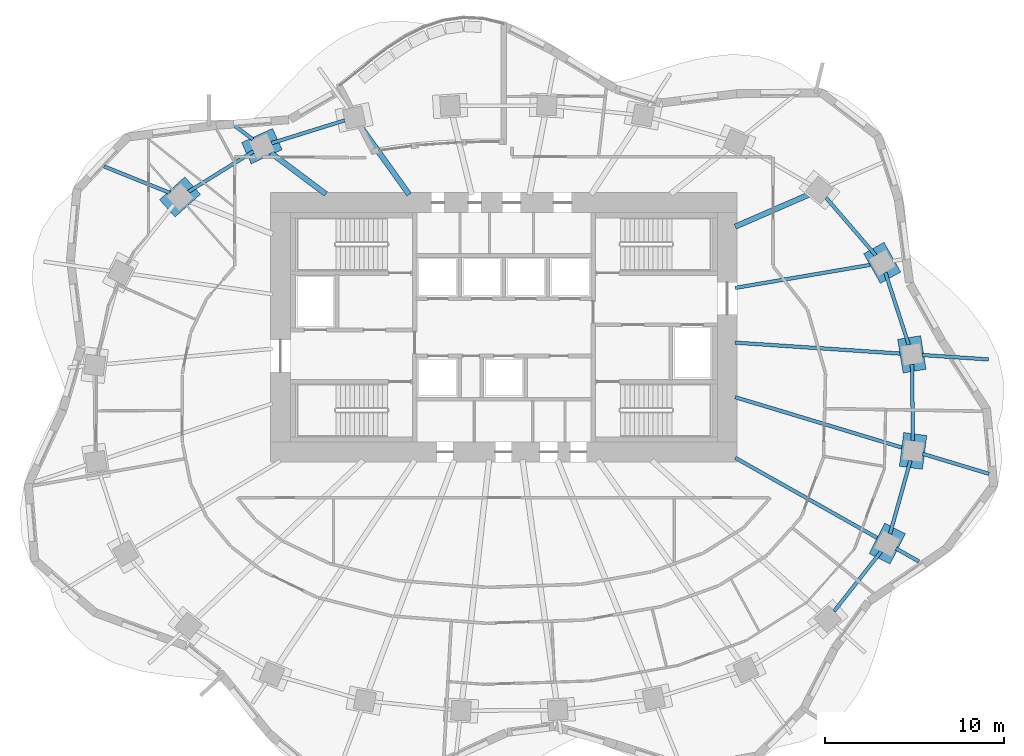
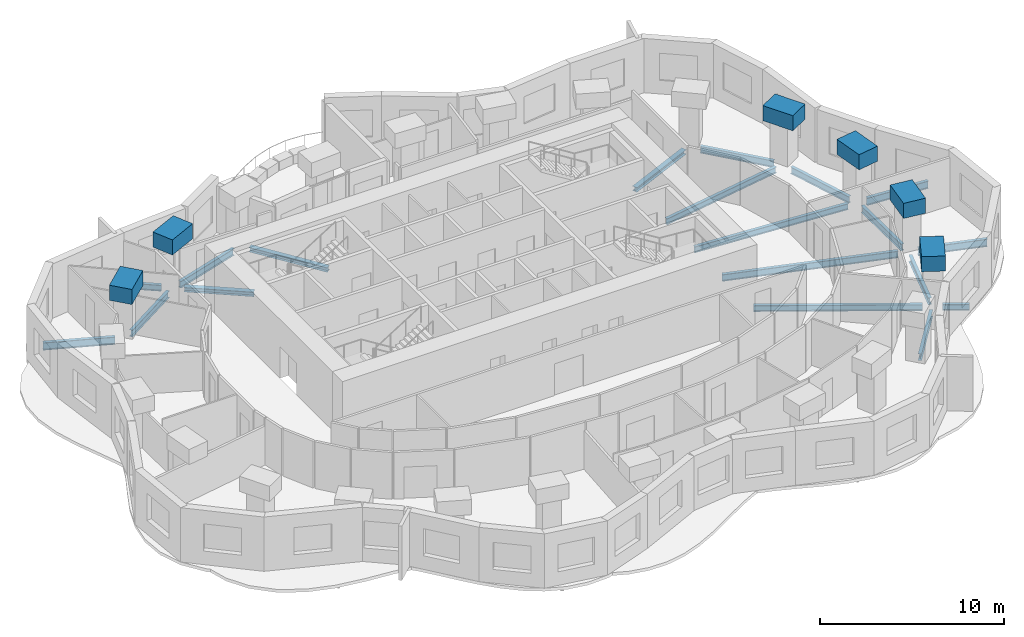
# One storey, part 2 of 11: 25 beams.
"""IFC4 building model written with IfcOpenShell, lengths in metres."""

from ifc_helpers import new_model, si_unit, direction, frame, origin, origin_2d, place, context, subcontext, project, spatial, rectangle, i_section, extrude, material, material_profile, profile_set, type_object, element, save


model = new_model("IFC4")

# Units and contexts
model_context = context("Model", 3, precision=1e-05, world=origin(), true_north=direction((0.0, 1.0)))
body_context = subcontext(model_context, "Body", "Model", "MODEL_VIEW")
ifc_project = project(units=[si_unit("LENGTHUNIT", "METRE"), si_unit("AREAUNIT", "SQUARE_METRE"), si_unit("VOLUMEUNIT", "CUBIC_METRE"), si_unit("PLANEANGLEUNIT", "RADIAN"), si_unit("MASSUNIT", "GRAM", prefix="KILO")], contexts=[model_context])

# Site, building, storey
site_placement = place(None, origin())
site = spatial("IfcSite", under=ifc_project, at=site_placement, CompositionType="ELEMENT")
building_placement = place(site_placement, origin())
building = spatial("IfcBuilding", under=site, at=building_placement, Name="Rubra Terraces Tower", CompositionType="ELEMENT")
storey_placement = place(building_placement, frame((0.0, 0.0, 165.60009765625)))
storey = spatial("IfcBuildingStorey", under=building, at=storey_placement, Name="L40", CompositionType="ELEMENT", Elevation=165.60009765625)

# Beams
ifc_material_1 = material(Name="Steel Q355B", Category="steel")
ifc_material_profile_1 = material_profile(ifc_material_1, i_section(OverallWidth=0.199951171875, OverallDepth=0.39990234375, WebThickness=0.008056640625, FlangeThickness=0.012939453125, at=origin_2d()), Name="HN 400x200x8x13")
ifc_profile_set_1 = profile_set([ifc_material_profile_1], Name="Steel Q355B")
beam_type_1 = type_object("IfcBeamType", Name="CANTILEVER BEAM HN 400x200x8x13", PredefinedType="BEAM", material=ifc_profile_set_1)
beam_1_placement = place(storey_placement, frame((21.846923828125, -7.824951171875, -0.400146484375), z_axis=(0.87098394444, -0.491311478115, 0.0), x_axis=(0.491311478115, 0.87098394444, 0.0)))
element("IfcBeam", 1, at=beam_1_placement, inside=storey, type_object=beam_type_1, Name="beam-L40-cant-23", PredefinedType="BEAM", context=body_context, shape_type="SweptSolid", body=[
    extrude(i_section(OverallWidth=0.199951171875, OverallDepth=0.39990234375, WebThickness=0.008056640625, FlangeThickness=0.012939453125, at=origin_2d()), origin(), (0.0, 0.0, 1.0), 1.46728515625),
])
ifc_material_profile_2 = material_profile(ifc_material_1, i_section(OverallWidth=0.198974609375, OverallDepth=0.49609375, WebThickness=0.009033203125, FlangeThickness=0.013916015625, at=origin_2d()), Name="HN 496x199x9x14")
ifc_profile_set_2 = profile_set([ifc_material_profile_2], Name="Steel Q355B")
beam_type_2 = type_object("IfcBeamType", Name="CANTILEVER BEAM HN 496x199x9x14", PredefinedType="BEAM", material=ifc_profile_set_2)
beam_2_placement = place(storey_placement, frame((23.298095703125, 2.9560546875, -0.447998046875), z_axis=(0.99779881822, -0.066313787088, 0.0), x_axis=(0.066313787088, 0.99779881822, 0.0)))
element("IfcBeam", 2, at=beam_2_placement, inside=storey, type_object=beam_type_2, Name="beam-L40-cant-01", PredefinedType="BEAM", context=body_context, shape_type="SweptSolid", body=[
    extrude(i_section(OverallWidth=0.198974609375, OverallDepth=0.49609375, WebThickness=0.009033203125, FlangeThickness=0.013916015625, at=origin_2d()), origin(), (0.0, 0.0, 1.0), 3.7109375),
])
beam_3_placement = place(storey_placement, frame((-18.6201171875, 11.991943359375, -0.447998046875), z_axis=(-0.927758876375, 0.373180207551, 0.0), x_axis=(-0.373180207551, -0.927758876375, 0.0)))
element("IfcBeam", 3, at=beam_3_placement, inside=storey, type_object=beam_type_2, Name="beam-L40-cant-10", PredefinedType="BEAM", context=body_context, shape_type="SweptSolid", body=[
    extrude(i_section(OverallWidth=0.198974609375, OverallDepth=0.49609375, WebThickness=0.009033203125, FlangeThickness=0.013916015625, at=origin_2d()), origin(), (0.0, 0.0, 1.0), 3.9501953125),
])
beam_4_placement = place(storey_placement, frame((23.3359375, -2.550048828125, -0.447998046875), z_axis=(0.957272539744, -0.289187283006, 0.0), x_axis=(0.289187283006, 0.957272539744, 0.0)))
element("IfcBeam", 4, at=beam_4_placement, inside=storey, type_object=beam_type_2, Name="beam-L40-cant-24", PredefinedType="BEAM", context=body_context, shape_type="SweptSolid", body=[
    extrude(i_section(OverallWidth=0.198974609375, OverallDepth=0.49609375, WebThickness=0.009033203125, FlangeThickness=0.013916015625, at=origin_2d()), origin(), (0.0, 0.0, 1.0), 3.85888671875),
])
ifc_material_profile_3 = material_profile(ifc_material_1, i_section(OverallWidth=0.199951171875, OverallDepth=0.39990234375, WebThickness=0.008056640625, FlangeThickness=0.012939453125, at=origin_2d()), Name="HN 400x200x8x13")
ifc_profile_set_3 = profile_set([ifc_material_profile_3], Name="Steel Q355B")
beam_type_3 = type_object("IfcBeamType", Name="CANTILEVER STUB HN 400x200x8x13", PredefinedType="BEAM", material=ifc_profile_set_3)
beam_5_placement = place(storey_placement, frame((-13.989013671875, 14.971923828125, -0.400146484375), z_axis=(-0.800719711136, 0.599039184193, 0.0), x_axis=(-0.599039184193, -0.800719711136, 0.0)))
element("IfcBeam", 5, at=beam_5_placement, inside=storey, type_object=beam_type_3, Name="beam-L40-cant-09", PredefinedType="BEAM", context=body_context, shape_type="SweptSolid", body=[
    extrude(i_section(OverallWidth=0.199951171875, OverallDepth=0.39990234375, WebThickness=0.008056640625, FlangeThickness=0.012939453125, at=origin_2d()), origin(), (0.0, 0.0, 1.0), 1.22021484375),
])
ifc_material_profile_4 = material_profile(ifc_material_1, i_section(OverallWidth=0.199951171875, OverallDepth=0.39990234375, WebThickness=0.008056640625, FlangeThickness=0.012939453125, at=origin_2d()), Name="HN 400x200x8x13")
ifc_profile_set_4 = profile_set([ifc_material_profile_4], Name="Steel Q355B")
beam_type_4 = type_object("IfcBeamType", Name="FLOOR BEAM HN 400x200x8x13", PredefinedType="BEAM", material=ifc_profile_set_4)
beam_6_placement = place(storey_placement, frame((22.169921875, 3.030029296875, -0.400146484375), z_axis=(-0.997809110543, 0.0661587403, 0.0), x_axis=(-0.0661587403, -0.997809110543, 0.0)))
element("IfcBeam", 6, at=beam_6_placement, inside=storey, type_object=beam_type_4, Name="beam-L40-floor-01", PredefinedType="BEAM", context=body_context, shape_type="SweptSolid", body=[
    extrude(i_section(OverallWidth=0.199951171875, OverallDepth=0.39990234375, WebThickness=0.008056640625, FlangeThickness=0.012939453125, at=origin_2d()), origin(), (0.0, 0.0, 1.0), 9.310546875),
])
beam_7_placement = place(storey_placement, frame((20.5048828125, 7.991943359375, -0.400146484375), z_axis=(-0.985813612303, -0.167843742209, 0.0), x_axis=(0.167843742209, -0.985813612303, 0.0)))
element("IfcBeam", 7, at=beam_7_placement, inside=storey, type_object=beam_type_4, Name="beam-L40-floor-02", PredefinedType="BEAM", context=body_context, shape_type="SweptSolid", body=[
    extrude(i_section(OverallWidth=0.199951171875, OverallDepth=0.39990234375, WebThickness=0.008056640625, FlangeThickness=0.012939453125, at=origin_2d()), origin(), (0.0, 0.0, 1.0), 7.732421875),
])
beam_8_placement = place(storey_placement, frame((20.886962890625, -7.282958984375, -0.400146484375), z_axis=(-0.870988685804, 0.491303072656, 0.0), x_axis=(-0.491303072656, -0.870988685804, 0.0)))
element("IfcBeam", 8, at=beam_8_placement, inside=storey, type_object=beam_type_4, Name="beam-L40-floor-23", PredefinedType="BEAM", context=body_context, shape_type="SweptSolid", body=[
    extrude(i_section(OverallWidth=0.199951171875, OverallDepth=0.39990234375, WebThickness=0.008056640625, FlangeThickness=0.012939453125, at=origin_2d()), origin(), (0.0, 0.0, 1.0), 9.17578125),
])
ifc_material_profile_5 = material_profile(ifc_material_1, i_section(OverallWidth=0.198974609375, OverallDepth=0.446044921875, WebThickness=0.008056640625, FlangeThickness=0.011962890625, at=origin_2d()), Name="HN 446x199x8x12")
ifc_profile_set_5 = profile_set([ifc_material_profile_5], Name="Steel Q355B")
beam_type_5 = type_object("IfcBeamType", Name="FLOOR BEAM HN 446x199x8x12", PredefinedType="BEAM", material=ifc_profile_set_5)
beam_9_placement = place(storey_placement, frame((22.26806640625, -2.22802734375, -0.423095703125), z_axis=(-0.957261634756, 0.289223378419, 0.0), x_axis=(-0.289223378419, -0.957261634756, 0.0)))
element("IfcBeam", 9, at=beam_9_placement, inside=storey, type_object=beam_type_5, Name="beam-L40-floor-24", PredefinedType="BEAM", context=body_context, shape_type="SweptSolid", body=[
    extrude(i_section(OverallWidth=0.198974609375, OverallDepth=0.446044921875, WebThickness=0.008056640625, FlangeThickness=0.011962890625, at=origin_2d()), origin(), (0.0, 0.0, 1.0), 9.802001953125),
])
ifc_material_profile_6 = material_profile(ifc_material_1, i_section(OverallWidth=0.304931640625, OverallDepth=0.300048828125, WebThickness=0.014892578125, FlangeThickness=0.014892578125, at=origin_2d()), Name="HW 300x305x15x15")
ifc_profile_set_6 = profile_set([ifc_material_profile_6], Name="Steel Q355B")
beam_type_6 = type_object("IfcBeamType", Name="FLOOR BEAM HW 300x305x15x15", PredefinedType="BEAM", material=ifc_profile_set_6)
beam_10_placement = place(storey_placement, frame((17.01806640625, 11.905029296875, -0.35009765625), z_axis=(-0.916965704309, -0.398966035047, 0.0), x_axis=(0.398966035047, -0.916965704309, 0.0)))
element("IfcBeam", 10, at=beam_10_placement, inside=storey, type_object=beam_type_6, Name="beam-L40-floor-03", PredefinedType="BEAM", context=body_context, shape_type="SweptSolid", body=[
    extrude(i_section(OverallWidth=0.304931640625, OverallDepth=0.300048828125, WebThickness=0.014892578125, FlangeThickness=0.014892578125, at=origin_2d()), origin(), (0.0, 0.0, 1.0), 4.501953125),
])
beam_11_placement = place(storey_placement, frame((-7.9990234375, 15.7041015625, -0.35009765625), z_axis=(0.581010755177, -0.813895879317, 0.0), x_axis=(0.813895879317, 0.581010755177, 0.0)))
element("IfcBeam", 11, at=beam_11_placement, inside=storey, type_object=beam_type_6, Name="beam-L40-floor-08", PredefinedType="BEAM", context=body_context, shape_type="SweptSolid", body=[
    extrude(i_section(OverallWidth=0.304931640625, OverallDepth=0.300048828125, WebThickness=0.014892578125, FlangeThickness=0.014892578125, at=origin_2d()), origin(), (0.0, 0.0, 1.0), 4.67138671875),
])
beam_12_placement = place(storey_placement, frame((-12.985107421875, 14.219970703125, -0.35009765625), z_axis=(0.800566460925, -0.599243975057, 0.0), x_axis=(0.599243975057, 0.800566460925, 0.0)))
element("IfcBeam", 12, at=beam_12_placement, inside=storey, type_object=beam_type_6, Name="beam-L40-floor-09", PredefinedType="BEAM", context=body_context, shape_type="SweptSolid", body=[
    extrude(i_section(OverallWidth=0.304931640625, OverallDepth=0.300048828125, WebThickness=0.014892578125, FlangeThickness=0.014892578125, at=origin_2d()), origin(), (0.0, 0.0, 1.0), 3.82470703125),
])
ifc_material_profile_7 = material_profile(ifc_material_1, i_section(OverallWidth=0.198974609375, OverallDepth=0.446044921875, WebThickness=0.008056640625, FlangeThickness=0.011962890625, at=origin_2d()), Name="HN 446x199x8x12")
ifc_profile_set_7 = profile_set([ifc_material_profile_7], Name="Steel Q355B")
beam_type_7 = type_object("IfcBeamType", Name="SPANDREL BEAM HN 446x199x8x12", PredefinedType="SPANDREL", material=ifc_profile_set_7)
beam_13_placement = place(storey_placement, frame((22.56201171875, 3.52197265625, -0.423095703125), z_axis=(-0.308462461648, 0.951236516201, 0.0), x_axis=(-0.951236516201, -0.308462461648, 0.0)))
element("IfcBeam", 13, at=beam_13_placement, inside=storey, type_object=beam_type_7, Name="beam-L40-spandrel-01", PredefinedType="SPANDREL", context=body_context, shape_type="SweptSolid", body=[
    extrude(i_section(OverallWidth=0.198974609375, OverallDepth=0.446044921875, WebThickness=0.008056640625, FlangeThickness=0.011962890625, at=origin_2d()), origin(), (0.0, 0.0, 1.0), 4.24072265625),
])
beam_14_placement = place(storey_placement, frame((20.715087890625, 8.514892578125, -0.423095703125), z_axis=(-0.65255344008, 0.757742705567, 0.0), x_axis=(-0.757742705567, -0.65255344008, 0.0)))
element("IfcBeam", 14, at=beam_14_placement, inside=storey, type_object=beam_type_7, Name="beam-L40-spandrel-02", PredefinedType="SPANDREL", context=body_context, shape_type="SweptSolid", body=[
    extrude(i_section(OverallWidth=0.198974609375, OverallDepth=0.446044921875, WebThickness=0.008056640625, FlangeThickness=0.011962890625, at=origin_2d()), origin(), (0.0, 0.0, 1.0), 4.240478515625),
])
beam_15_placement = place(storey_placement, frame((-8.8740234375, 16.028076171875, -0.423095703125), z_axis=(-0.955002801089, -0.296596780008, 0.0), x_axis=(0.296596780008, -0.955002801089, 0.0)))
element("IfcBeam", 15, at=beam_15_placement, inside=storey, type_object=beam_type_7, Name="beam-L40-spandrel-08", PredefinedType="SPANDREL", context=body_context, shape_type="SweptSolid", body=[
    extrude(i_section(OverallWidth=0.198974609375, OverallDepth=0.446044921875, WebThickness=0.008056640625, FlangeThickness=0.011962890625, at=origin_2d()), origin(), (0.0, 0.0, 1.0), 4.275390625),
])
beam_16_placement = place(storey_placement, frame((-13.9580078125, 14.303955078125, -0.423095703125), z_axis=(-0.849549830498, -0.527508374816, 0.0), x_axis=(0.527508374816, -0.849549830498, 0.0)))
element("IfcBeam", 16, at=beam_16_placement, inside=storey, type_object=beam_type_7, Name="beam-L40-spandrel-09", PredefinedType="SPANDREL", context=body_context, shape_type="SweptSolid", body=[
    extrude(i_section(OverallWidth=0.198974609375, OverallDepth=0.446044921875, WebThickness=0.008056640625, FlangeThickness=0.011962890625, at=origin_2d()), origin(), (0.0, 0.0, 1.0), 4.259765625),
])
beam_17_placement = place(storey_placement, frame((18.39697265625, -11.323974609375, -0.423095703125), z_axis=(0.618917461688, 0.785456030353, 0.0), x_axis=(-0.785456030353, 0.618917461688, 0.0)))
element("IfcBeam", 17, at=beam_17_placement, inside=storey, type_object=beam_type_7, Name="beam-L40-spandrel-22", PredefinedType="SPANDREL", context=body_context, shape_type="SweptSolid", body=[
    extrude(i_section(OverallWidth=0.198974609375, OverallDepth=0.446044921875, WebThickness=0.008056640625, FlangeThickness=0.011962890625, at=origin_2d()), origin(), (0.0, 0.0, 1.0), 4.238037109375),
])
beam_18_placement = place(storey_placement, frame((21.51708984375, -7.013916015625, -0.423095703125), z_axis=(0.267626064819, 0.96352285361, 0.0), x_axis=(-0.96352285361, 0.267626064819, 0.0)))
element("IfcBeam", 18, at=beam_18_placement, inside=storey, type_object=beam_type_7, Name="beam-L40-spandrel-23", PredefinedType="SPANDREL", context=body_context, shape_type="SweptSolid", body=[
    extrude(i_section(OverallWidth=0.198974609375, OverallDepth=0.446044921875, WebThickness=0.008056640625, FlangeThickness=0.011962890625, at=origin_2d()), origin(), (0.0, 0.0, 1.0), 4.24462890625),
])
beam_19_placement = place(storey_placement, frame((22.794921875, -1.8330078125, -0.423095703125), z_axis=(-0.012634783266, 0.99992017794, 0.0), x_axis=(-0.99992017794, -0.012634783266, 0.0)))
element("IfcBeam", 19, at=beam_19_placement, inside=storey, type_object=beam_type_7, Name="beam-L40-spandrel-24", PredefinedType="SPANDREL", context=body_context, shape_type="SweptSolid", body=[
    extrude(i_section(OverallWidth=0.198974609375, OverallDepth=0.446044921875, WebThickness=0.008056640625, FlangeThickness=0.011962890625, at=origin_2d()), origin(), (0.0, 0.0, 1.0), 4.270263671875),
])
ifc_material_2 = material(Name="Concrete C50", Category="concrete")
ifc_material_profile_8 = material_profile(ifc_material_2, rectangle(XDim=1.300048828125, YDim=1.0, at=origin_2d()), Name="RC 1300x1000")
ifc_profile_set_8 = profile_set([ifc_material_profile_8], Name="Concrete C50")
beam_type_8 = type_object("IfcBeamType", Name="TRANSFER NODE RC 1300x1000 C50", PredefinedType="BEAM", material=ifc_profile_set_8)
beam_20_placement = place(storey_placement, frame((22.887939453125, 2.055908203125, 3.099853515625), z_axis=(-0.162105434067, 0.986773443221, 0.0), x_axis=(-0.986773443221, -0.162105434067, 0.0)))
element("IfcBeam", 20, at=beam_20_placement, inside=storey, type_object=beam_type_8, Name="node-L41-lo-01", PredefinedType="BEAM", context=body_context, shape_type="SweptSolid", body=[
    extrude(rectangle(XDim=1.300048828125, YDim=1.0, at=origin_2d()), origin(), (0.0, 0.0, 1.0), 1.899169921875),
])
beam_21_placement = place(storey_placement, frame((21.547119140625, 7.261962890625, 3.099853515625), z_axis=(-0.4905113041, 0.87143482863, 0.0), x_axis=(-0.87143482863, -0.4905113041, 0.0)))
element("IfcBeam", 21, at=beam_21_placement, inside=storey, type_object=beam_type_8, Name="node-L41-lo-02", PredefinedType="BEAM", context=body_context, shape_type="SweptSolid", body=[
    extrude(rectangle(XDim=1.300048828125, YDim=1.0, at=origin_2d()), origin(), (0.0, 0.0, 1.0), 1.900390625),
])
beam_22_placement = place(storey_placement, frame((-12.623046875, 14.989990234375, 3.099853515625), z_axis=(-0.90984629474, -0.414945442134, 0.0), x_axis=(0.414945442134, -0.90984629474, 0.0)))
element("IfcBeam", 22, at=beam_22_placement, inside=storey, type_object=beam_type_8, Name="node-L41-lo-09", PredefinedType="BEAM", context=body_context, shape_type="SweptSolid", body=[
    extrude(rectangle(XDim=1.300048828125, YDim=1.0, at=origin_2d()), origin(), (0.0, 0.0, 1.0), 1.899169921875),
])
beam_23_placement = place(storey_placement, frame((-17.343017578125, 12.39599609375, 3.099853515625), z_axis=(-0.745463131593, -0.666546862145, 0.0), x_axis=(0.666546862145, -0.745463131593, 0.0)))
element("IfcBeam", 23, at=beam_23_placement, inside=storey, type_object=beam_type_8, Name="node-L41-lo-10", PredefinedType="BEAM", context=body_context, shape_type="SweptSolid", body=[
    extrude(rectangle(XDim=1.300048828125, YDim=1.0, at=origin_2d()), origin(), (0.0, 0.0, 1.0), 1.8994140625),
])
beam_24_placement = place(storey_placement, frame((20.93798828125, -8.40087890625, 3.099853515625), z_axis=(0.451836552289, 0.892100739836, 0.0), x_axis=(-0.892100739836, 0.451836552289, 0.0)))
element("IfcBeam", 24, at=beam_24_placement, inside=storey, type_object=beam_type_8, Name="node-L41-lo-23", PredefinedType="BEAM", context=body_context, shape_type="SweptSolid", body=[
    extrude(rectangle(XDim=1.300048828125, YDim=1.0, at=origin_2d()), origin(), (0.0, 0.0, 1.0), 1.898681640625),
])
beam_25_placement = place(storey_placement, frame((22.679931640625, -3.3310546875, 3.099853515625), z_axis=(0.128509559437, 0.991708270175, 0.0), x_axis=(-0.991708270175, 0.128509559437, 0.0)))
element("IfcBeam", 25, at=beam_25_placement, inside=storey, type_object=beam_type_8, Name="node-L41-lo-24", PredefinedType="BEAM", context=body_context, shape_type="SweptSolid", body=[
    extrude(rectangle(XDim=1.300048828125, YDim=1.0, at=origin_2d()), origin(), (0.0, 0.0, 1.0), 1.89990234375),
])

save(model, "model.ifc")
